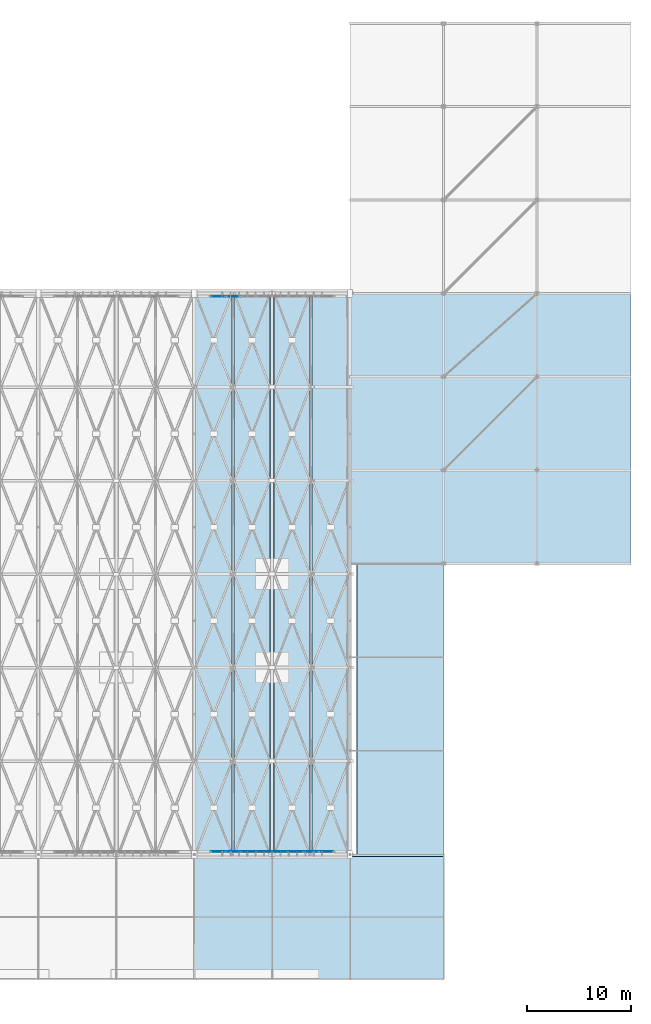
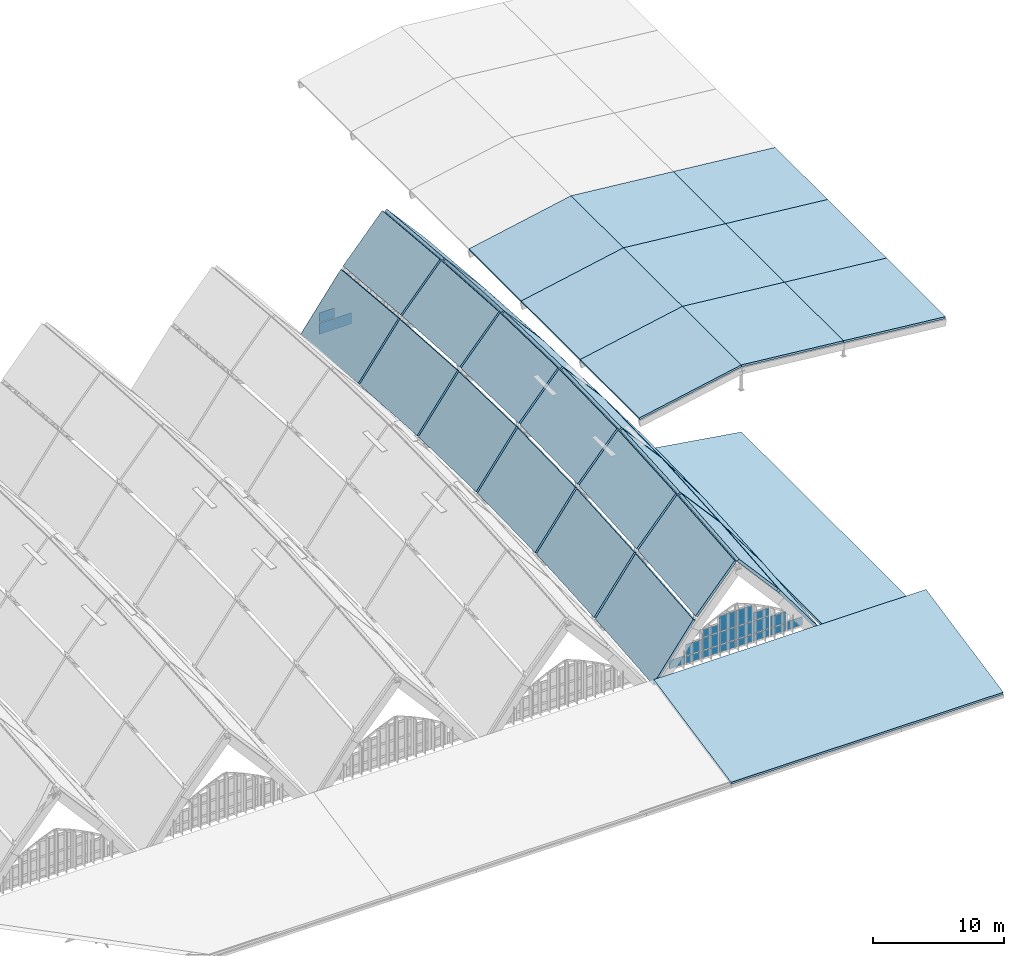
# One storey, part 65 of 93: 35 slabs, 21 plates, 3 elements without a shape of their own.
"""IFC4 building model written with IfcOpenShell, lengths in metres."""

from ifc_helpers import new_model, si_unit, direction, frame, origin, origin_2d, place, context, subcontext, project, spatial, polyline, rectangle, outline, extrude, material, layer, layer_set, type_object, element, aggregate, save


model = new_model("IFC4")

# Units and contexts
model_context = context("Model", 3, precision=1e-05, world=origin(), true_north=direction((0.0, 1.0)))
body_context = subcontext(model_context, "Body", "Model", "MODEL_VIEW")
ifc_project = project(units=[si_unit("LENGTHUNIT", "METRE"), si_unit("AREAUNIT", "SQUARE_METRE"), si_unit("VOLUMEUNIT", "CUBIC_METRE"), si_unit("PLANEANGLEUNIT", "RADIAN"), si_unit("MASSUNIT", "GRAM", prefix="KILO")], contexts=[model_context])

# Site, building, storey
site_placement = place(None, origin())
site = spatial("IfcSite", under=ifc_project, at=site_placement, CompositionType="ELEMENT")
building_placement = place(site_placement, origin())
building = spatial("IfcBuilding", under=site, at=building_placement, Name="Vourika Railside Aquatics Centre", CompositionType="ELEMENT")
storey_placement = place(building_placement, frame((0.0, 0.0, 21.89990234375)))
storey = spatial("IfcBuildingStorey", under=building, at=storey_placement, Name="Roof", CompositionType="ELEMENT", Elevation=21.89990234375)

# Curtain wall, plates
ifc_material_1 = material(Name="Anodized thermally broken aluminium", Category="aluminium")
curtain_wall_type_1 = type_object("IfcCurtainWallType", Name="CW-VLTN1", PredefinedType="NOTDEFINED", material=ifc_material_1)
curtain_wall_1_placement = place(storey_placement, origin())
curtain_wall_1 = element("IfcCurtainWall", 1, at=curtain_wall_1_placement, inside=storey, type_object=curtain_wall_type_1, Name="North Courtyard Pointed-Arch Curtain Wall Bay 7", PredefinedType="NOTDEFINED")
ifc_material_2 = material(Name="Low-E solar-control laminated double glazing", Category="glass")
ifc_layer_1 = layer(ifc_material_2, 0.048095703125, Name="CWP-VLTN1")
ifc_layer_set_1 = layer_set([ifc_layer_1], Name="Low-E solar-control laminated double glazing")
plate_type_1 = type_object("IfcPlateType", Name="CWP-VLTN1", PredefinedType="CURTAIN_PANEL", material=ifc_layer_set_1)
plate_1_placement = place(storey_placement, frame((129.78125, 65.719970703125, -11.014892578125), z_axis=(0.0, 0.0, 1.0), x_axis=(-1.0, 0.0, 0.0)))
plate_1 = element("IfcPlate", 2, at=plate_1_placement, type_object=plate_type_1, Name="CW01 glazed panel 7.1", PredefinedType="CURTAIN_PANEL", context=body_context, shape_type="SweptSolid", body=[
    extrude(rectangle(XDim=1.402587890625, YDim=0.048095703125, at=origin_2d()), origin(), (0.0, 0.0, 1.0), 1.0224609375),
])
plate_2_placement = place(storey_placement, frame((128.31494140625, 65.719970703125, -11.014892578125), z_axis=(0.0, 0.0, 1.0), x_axis=(-1.0, 0.0, 0.0)))
plate_2 = element("IfcPlate", 3, at=plate_2_placement, type_object=plate_type_1, Name="CW01 glazed panel 8.1", PredefinedType="CURTAIN_PANEL", context=body_context, shape_type="SweptSolid", body=[
    extrude(rectangle(XDim=1.360107421875, YDim=0.048095703125, at=origin_2d()), origin(), (0.0, 0.0, 1.0), 1.0224609375),
])
plate_3_placement = place(storey_placement, frame((128.31494140625, 65.719970703125, -9.9072265625), z_axis=(0.0, 0.0, 1.0), x_axis=(-1.0, 0.0, 0.0)))
plate_3 = element("IfcPlate", 4, at=plate_3_placement, type_object=plate_type_1, Name="CW01 glazed panel 8.2", PredefinedType="CURTAIN_PANEL", context=body_context, shape_type="SweptSolid", body=[
    extrude(rectangle(XDim=1.360107421875, YDim=0.048095703125, at=origin_2d()), origin(), (0.0, 0.0, 1.0), 0.884521484375),
])
aggregate(curtain_wall_1, [plate_1, plate_2, plate_3])

curtain_wall_type_2 = type_object("IfcCurtainWallType", Name="CW-VLTS1", PredefinedType="NOTDEFINED", material=ifc_material_1)
curtain_wall_2_placement = place(storey_placement, origin())
curtain_wall_2 = element("IfcCurtainWall", 5, at=curtain_wall_2_placement, inside=storey, type_object=curtain_wall_type_2, Name="South Boulevard Pointed-Arch Clerestory Curtain Wall Bay 7", PredefinedType="NOTDEFINED")
ifc_layer_2 = layer(ifc_material_2, 0.048095703125, Name="CWP-VLTS1")
ifc_layer_set_2 = layer_set([ifc_layer_2], Name="Low-E solar-control laminated double glazing")
plate_type_2 = type_object("IfcPlateType", Name="CWP-VLTS1", PredefinedType="CURTAIN_PANEL", material=ifc_layer_set_2)
plate_4_placement = place(storey_placement, frame((128.314208984375, 12.280029296875, -9.7978515625), z_axis=(0.0, 0.0, 1.0), x_axis=(1.0, 0.0, 0.0)))
plate_4 = element("IfcPlate", 6, at=plate_4_placement, type_object=plate_type_2, Name="CW03 glazed panel 1.1", PredefinedType="CURTAIN_PANEL", context=body_context, shape_type="SweptSolid", body=[
    extrude(rectangle(XDim=1.364501953125, YDim=0.048095703125, at=origin_2d()), origin(), (0.0, 0.0, 1.0), 0.77587890625),
])
plate_5_placement = place(storey_placement, frame((129.78125, 12.280029296875, -9.7978515625), z_axis=(0.0, 0.0, 1.0), x_axis=(1.0, 0.0, 0.0)))
plate_5 = element("IfcPlate", 7, at=plate_5_placement, type_object=plate_type_2, Name="CW03 glazed panel 2.1", PredefinedType="CURTAIN_PANEL", context=body_context, shape_type="SweptSolid", body=[
    extrude(rectangle(XDim=1.405517578125, YDim=0.048095703125, at=origin_2d()), origin(), (0.0, 0.0, 1.0), 0.656982421875),
])
plate_6_placement = place(storey_placement, frame((129.78125, 12.280029296875, -9.05908203125), z_axis=(0.0, 0.0, 1.0), x_axis=(1.0, 0.0, 0.0)))
plate_6 = element("IfcPlate", 8, at=plate_6_placement, type_object=plate_type_2, Name="CW03 glazed panel 2.2", PredefinedType="CURTAIN_PANEL", context=body_context, shape_type="SweptSolid", body=[
    extrude(rectangle(XDim=1.405517578125, YDim=0.048095703125, at=origin_2d()), origin(), (0.0, 0.0, 1.0), 1.029052734375),
])
plate_7_placement = place(storey_placement, frame((131.268798828125, 12.280029296875, -9.7978515625), z_axis=(0.0, 0.0, 1.0), x_axis=(1.0, 0.0, 0.0)))
plate_7 = element("IfcPlate", 9, at=plate_7_placement, type_object=plate_type_2, Name="CW03 glazed panel 3.1", PredefinedType="CURTAIN_PANEL", context=body_context, shape_type="SweptSolid", body=[
    extrude(rectangle(XDim=1.405517578125, YDim=0.048095703125, at=origin_2d()), origin(), (0.0, 0.0, 1.0), 0.656982421875),
])
plate_8_placement = place(storey_placement, frame((131.268798828125, 12.280029296875, -9.05908203125), z_axis=(0.0, 0.0, 1.0), x_axis=(1.0, 0.0, 0.0)))
plate_8 = element("IfcPlate", 10, at=plate_8_placement, type_object=plate_type_2, Name="CW03 glazed panel 3.2", PredefinedType="CURTAIN_PANEL", context=body_context, shape_type="SweptSolid", body=[
    extrude(rectangle(XDim=1.405517578125, YDim=0.048095703125, at=origin_2d()), origin(), (0.0, 0.0, 1.0), 1.117919921875),
])
plate_9_placement = place(storey_placement, frame((131.268798828125, 12.280029296875, -7.85888671875), z_axis=(0.0, 0.0, 1.0), x_axis=(1.0, 0.0, 0.0)))
plate_9 = element("IfcPlate", 11, at=plate_9_placement, type_object=plate_type_2, Name="CW03 glazed panel 3.3", PredefinedType="CURTAIN_PANEL", context=body_context, shape_type="SweptSolid", body=[
    extrude(rectangle(XDim=1.405517578125, YDim=0.048095703125, at=origin_2d()), origin(), (0.0, 0.0, 1.0), 0.708984375),
])
plate_10_placement = place(storey_placement, frame((132.75634765625, 12.280029296875, -9.7978515625), z_axis=(0.0, 0.0, 1.0), x_axis=(1.0, 0.0, 0.0)))
plate_10 = element("IfcPlate", 12, at=plate_10_placement, type_object=plate_type_2, Name="CW03 glazed panel 4.1", PredefinedType="CURTAIN_PANEL", context=body_context, shape_type="SweptSolid", body=[
    extrude(rectangle(XDim=1.405517578125, YDim=0.048095703125, at=origin_2d()), origin(), (0.0, 0.0, 1.0), 0.656982421875),
])
plate_11_placement = place(storey_placement, frame((132.75634765625, 12.280029296875, -9.05908203125), z_axis=(0.0, 0.0, 1.0), x_axis=(1.0, 0.0, 0.0)))
plate_11 = element("IfcPlate", 13, at=plate_11_placement, type_object=plate_type_2, Name="CW03 glazed panel 4.2", PredefinedType="CURTAIN_PANEL", context=body_context, shape_type="SweptSolid", body=[
    extrude(rectangle(XDim=1.405517578125, YDim=0.048095703125, at=origin_2d()), origin(), (0.0, 0.0, 1.0), 1.117919921875),
])
plate_12_placement = place(storey_placement, frame((132.75634765625, 12.280029296875, -7.85888671875), z_axis=(0.0, 0.0, 1.0), x_axis=(1.0, 0.0, 0.0)))
plate_12 = element("IfcPlate", 14, at=plate_12_placement, type_object=plate_type_2, Name="CW03 glazed panel 4.3", PredefinedType="CURTAIN_PANEL", context=body_context, shape_type="SweptSolid", body=[
    extrude(rectangle(XDim=1.405517578125, YDim=0.048095703125, at=origin_2d()), origin(), (0.0, 0.0, 1.0), 1.446044921875),
])
plate_13_placement = place(storey_placement, frame((134.24365234375, 12.280029296875, -9.7978515625), z_axis=(0.0, 0.0, 1.0), x_axis=(1.0, 0.0, 0.0)))
plate_13 = element("IfcPlate", 15, at=plate_13_placement, type_object=plate_type_2, Name="CW03 glazed panel 5.1", PredefinedType="CURTAIN_PANEL", context=body_context, shape_type="SweptSolid", body=[
    extrude(rectangle(XDim=1.405517578125, YDim=0.048095703125, at=origin_2d()), origin(), (0.0, 0.0, 1.0), 0.656982421875),
])
plate_14_placement = place(storey_placement, frame((134.24365234375, 12.280029296875, -9.05908203125), z_axis=(0.0, 0.0, 1.0), x_axis=(1.0, 0.0, 0.0)))
plate_14 = element("IfcPlate", 16, at=plate_14_placement, type_object=plate_type_2, Name="CW03 glazed panel 5.2", PredefinedType="CURTAIN_PANEL", context=body_context, shape_type="SweptSolid", body=[
    extrude(rectangle(XDim=1.405517578125, YDim=0.048095703125, at=origin_2d()), origin(), (0.0, 0.0, 1.0), 1.117919921875),
])
plate_15_placement = place(storey_placement, frame((134.24365234375, 12.280029296875, -7.85888671875), z_axis=(0.0, 0.0, 1.0), x_axis=(1.0, 0.0, 0.0)))
plate_15 = element("IfcPlate", 17, at=plate_15_placement, type_object=plate_type_2, Name="CW03 glazed panel 5.3", PredefinedType="CURTAIN_PANEL", context=body_context, shape_type="SweptSolid", body=[
    extrude(rectangle(XDim=1.405517578125, YDim=0.048095703125, at=origin_2d()), origin(), (0.0, 0.0, 1.0), 1.446044921875),
])
plate_16_placement = place(storey_placement, frame((135.731201171875, 12.280029296875, -9.7978515625), z_axis=(0.0, 0.0, 1.0), x_axis=(1.0, 0.0, 0.0)))
plate_16 = element("IfcPlate", 18, at=plate_16_placement, type_object=plate_type_2, Name="CW03 glazed panel 6.1", PredefinedType="CURTAIN_PANEL", context=body_context, shape_type="SweptSolid", body=[
    extrude(rectangle(XDim=1.405517578125, YDim=0.048095703125, at=origin_2d()), origin(), (0.0, 0.0, 1.0), 0.656982421875),
])
plate_17_placement = place(storey_placement, frame((135.731201171875, 12.280029296875, -9.05908203125), z_axis=(0.0, 0.0, 1.0), x_axis=(1.0, 0.0, 0.0)))
plate_17 = element("IfcPlate", 19, at=plate_17_placement, type_object=plate_type_2, Name="CW03 glazed panel 6.2", PredefinedType="CURTAIN_PANEL", context=body_context, shape_type="SweptSolid", body=[
    extrude(rectangle(XDim=1.405517578125, YDim=0.048095703125, at=origin_2d()), origin(), (0.0, 0.0, 1.0), 1.117919921875),
])
plate_18_placement = place(storey_placement, frame((135.731201171875, 12.280029296875, -7.85888671875), z_axis=(0.0, 0.0, 1.0), x_axis=(1.0, 0.0, 0.0)))
plate_18 = element("IfcPlate", 20, at=plate_18_placement, type_object=plate_type_2, Name="CW03 glazed panel 6.3", PredefinedType="CURTAIN_PANEL", context=body_context, shape_type="SweptSolid", body=[
    extrude(rectangle(XDim=1.405517578125, YDim=0.048095703125, at=origin_2d()), origin(), (0.0, 0.0, 1.0), 0.708984375),
])
plate_19_placement = place(storey_placement, frame((137.21875, 12.280029296875, -9.7978515625), z_axis=(0.0, 0.0, 1.0), x_axis=(1.0, 0.0, 0.0)))
plate_19 = element("IfcPlate", 21, at=plate_19_placement, type_object=plate_type_2, Name="CW03 glazed panel 7.1", PredefinedType="CURTAIN_PANEL", context=body_context, shape_type="SweptSolid", body=[
    extrude(rectangle(XDim=1.405517578125, YDim=0.048095703125, at=origin_2d()), origin(), (0.0, 0.0, 1.0), 0.656982421875),
])
plate_20_placement = place(storey_placement, frame((137.21875, 12.280029296875, -9.05908203125), z_axis=(0.0, 0.0, 1.0), x_axis=(1.0, 0.0, 0.0)))
plate_20 = element("IfcPlate", 22, at=plate_20_placement, type_object=plate_type_2, Name="CW03 glazed panel 7.2", PredefinedType="CURTAIN_PANEL", context=body_context, shape_type="SweptSolid", body=[
    extrude(rectangle(XDim=1.405517578125, YDim=0.048095703125, at=origin_2d()), origin(), (0.0, 0.0, 1.0), 1.029052734375),
])
plate_21_placement = place(storey_placement, frame((138.685791015625, 12.280029296875, -9.7978515625), z_axis=(0.0, 0.0, 1.0), x_axis=(1.0, 0.0, 0.0)))
plate_21 = element("IfcPlate", 23, at=plate_21_placement, type_object=plate_type_2, Name="CW03 glazed panel 8.1", PredefinedType="CURTAIN_PANEL", context=body_context, shape_type="SweptSolid", body=[
    extrude(rectangle(XDim=1.364501953125, YDim=0.048095703125, at=origin_2d()), origin(), (0.0, 0.0, 1.0), 0.77587890625),
])
aggregate(curtain_wall_2, [plate_4, plate_5, plate_6, plate_7, plate_8, plate_9, plate_10, plate_11, plate_12, plate_13, plate_14, plate_15, plate_16, plate_17, plate_18, plate_19, plate_20, plate_21])

# Slabs
ifc_material_3 = material(Name="Glulam GL28h", Category="wood")
ifc_layer_3 = layer(ifc_material_3, 0.18994140625, Name="SLB-ROOF-CAN190")
ifc_layer_set_3 = layer_set([ifc_layer_3], Name="Glulam GL28h")
slab_type_1 = type_object("IfcSlabType", Name="SLB-ROOF-CAN190", PredefinedType="ROOF", material=ifc_layer_set_3)
slab_1_placement = place(storey_placement, frame((141.0, 40.0, -7.89990234375), z_axis=(-0.196121250506, 0.0, 0.980579652604), x_axis=(0.980579652604, 0.0, 0.196121250506)))
element("IfcSlab", 24, at=slab_1_placement, inside=storey, type_object=slab_type_1, Name="Civic Foyer Swept Canopy Roof Slab 185", PredefinedType="ROOF", context=body_context, shape_type="SweptSolid", body=[
    extrude(outline(polyline([(0.0, 0.0), (9.17824470057506, 0.0), (9.17824470057506, 9.0), (0.0, 9.0), (0.0, 0.0)])), origin(), (0.0, 0.0, -1.0), 0.18994140625),
])
slab_2_placement = place(storey_placement, frame((150.0, 40.0, -6.099853515625), z_axis=(0.0995197539, 0.0, 0.995035586592), x_axis=(0.995035586592, 0.0, -0.0995197539)))
element("IfcSlab", 25, at=slab_2_placement, inside=storey, type_object=slab_type_1, Name="Civic Foyer Swept Canopy Roof Slab 186", PredefinedType="ROOF", context=body_context, shape_type="SweptSolid", body=[
    extrude(outline(polyline([(0.0, 0.0), (9.044902635923323, 0.0), (9.044902635923323, 9.0), (0.0, 9.0), (0.0, 0.0)])), origin(), (0.0, 0.0, -1.0), 0.18994140625),
])
slab_3_placement = place(storey_placement, frame((159.0, 40.0, -7.0), z_axis=(0.099493029059, 0.0, 0.995038259148), x_axis=(0.995038259148, 0.0, -0.099493029059)))
element("IfcSlab", 26, at=slab_3_placement, inside=storey, type_object=slab_type_1, Name="Civic Foyer Swept Canopy Roof Slab 187", PredefinedType="ROOF", context=body_context, shape_type="SweptSolid", body=[
    extrude(outline(polyline([(0.0, 0.0), (9.044878342370712, 0.0), (9.044878342370712, 9.0), (0.0, 9.0), (0.0, 0.0)])), origin(), (0.0, 0.0, -1.0), 0.18994140625),
])
slab_4_placement = place(storey_placement, frame((141.0, 49.0, -7.89990234375), z_axis=(-0.196121250506, 0.0, 0.980579652604), x_axis=(0.980579652604, 0.0, 0.196121250506)))
element("IfcSlab", 27, at=slab_4_placement, inside=storey, type_object=slab_type_1, Name="Civic Foyer Swept Canopy Roof Slab 188", PredefinedType="ROOF", context=body_context, shape_type="SweptSolid", body=[
    extrude(outline(polyline([(0.0, 0.0), (9.17824470057506, 0.0), (9.17824470057506, 9.0), (0.0, 9.0), (0.0, 0.0)])), origin(), (0.0, 0.0, -1.0), 0.18994140625),
])
slab_5_placement = place(storey_placement, frame((150.0, 49.0, -6.099853515625), z_axis=(0.0995197539, 0.0, 0.995035586592), x_axis=(0.995035586592, 0.0, -0.0995197539)))
element("IfcSlab", 28, at=slab_5_placement, inside=storey, type_object=slab_type_1, Name="Civic Foyer Swept Canopy Roof Slab 189", PredefinedType="ROOF", context=body_context, shape_type="SweptSolid", body=[
    extrude(outline(polyline([(0.0, 0.0), (9.044902635923323, 0.0), (9.044902635923323, 9.0), (0.0, 9.0), (0.0, 0.0)])), origin(), (0.0, 0.0, -1.0), 0.18994140625),
])
slab_6_placement = place(storey_placement, frame((159.0, 49.0, -7.0), z_axis=(0.099493029059, 0.0, 0.995038259148), x_axis=(0.995038259148, 0.0, -0.099493029059)))
element("IfcSlab", 29, at=slab_6_placement, inside=storey, type_object=slab_type_1, Name="Civic Foyer Swept Canopy Roof Slab 190", PredefinedType="ROOF", context=body_context, shape_type="SweptSolid", body=[
    extrude(outline(polyline([(0.0, 0.0), (9.044878342370712, 0.0), (9.044878342370712, 9.0), (0.0, 9.0), (0.0, 0.0)])), origin(), (0.0, 0.0, -1.0), 0.18994140625),
])
slab_7_placement = place(storey_placement, frame((141.0, 58.0, -7.89990234375), z_axis=(-0.196121250506, 0.0, 0.980579652604), x_axis=(0.980579652604, 0.0, 0.196121250506)))
element("IfcSlab", 30, at=slab_7_placement, inside=storey, type_object=slab_type_1, Name="Civic Foyer Swept Canopy Roof Slab 191", PredefinedType="ROOF", context=body_context, shape_type="SweptSolid", body=[
    extrude(outline(polyline([(0.0, 0.0), (9.17824470057506, 0.0), (9.17824470057506, 8.000000000000002), (0.0, 8.000000000000002), (0.0, 0.0)])), origin(), (0.0, 0.0, -1.0), 0.18994140625),
])
slab_8_placement = place(storey_placement, frame((150.0, 58.0, -6.099853515625), z_axis=(0.0995197539, 0.0, 0.995035586592), x_axis=(0.995035586592, 0.0, -0.0995197539)))
element("IfcSlab", 31, at=slab_8_placement, inside=storey, type_object=slab_type_1, Name="Civic Foyer Swept Canopy Roof Slab 192", PredefinedType="ROOF", context=body_context, shape_type="SweptSolid", body=[
    extrude(outline(polyline([(0.0, 0.0), (9.044902635923323, 0.0), (9.044902635923323, 8.0), (0.0, 8.0), (0.0, 0.0)])), origin(), (0.0, 0.0, -1.0), 0.18994140625),
])
slab_9_placement = place(storey_placement, frame((159.0, 58.0, -7.0), z_axis=(0.099493029059, 0.0, 0.995038259148), x_axis=(0.995038259148, 0.0, -0.099493029059)))
element("IfcSlab", 32, at=slab_9_placement, inside=storey, type_object=slab_type_1, Name="Civic Foyer Swept Canopy Roof Slab 193", PredefinedType="ROOF", context=body_context, shape_type="SweptSolid", body=[
    extrude(outline(polyline([(0.0, 0.0), (9.044878342370712, 0.0), (9.044878342370712, 7.999999999999999), (0.0, 7.999999999999999), (0.0, 0.0)])), origin(), (0.0, 0.0, -1.0), 0.18994140625),
])
ifc_material_4 = material(Name="Concrete C35/45", Category="concrete")
ifc_layer_4 = layer(ifc_material_4, 0.22998046875, Name="SLB-ROOF-EAV230")
ifc_layer_set_4 = layer_set([ifc_layer_4], Name="Concrete C35/45")
slab_type_2 = type_object("IfcSlabType", Name="SLB-ROOF-EAV230", PredefinedType="ROOF", material=ifc_layer_set_4)
slab_10_placement = place(storey_placement, frame((126.0, 0.0, -12.349853515625), z_axis=(0.0, -0.201693516956, 0.979448684321), x_axis=(1.0, 0.0, 0.0)))
element("IfcSlab", 33, at=slab_10_placement, inside=storey, type_object=slab_type_2, Name="Changing Village Sloped Monsoon Eave Roof S4", PredefinedType="ROOF", context=body_context, shape_type="SweptSolid", body=[
    extrude(outline(polyline([(0.0, 0.0), (24.0, 0.0), (24.0, 12.047643758189595), (0.0, 12.047643758189595), (0.0, 0.0)])), origin(), (0.0, 0.0, -1.0), 0.22998046875),
])
slab_11_placement = place(storey_placement, frame((150.0, 12.0, -12.349853515625), z_axis=(0.153839266515, 0.0, 0.988095886075), x_axis=(0.0, 1.0, 0.0)))
element("IfcSlab", 34, at=slab_11_placement, inside=storey, type_object=slab_type_2, Name="Changing Village East Wing Sloped Roof", PredefinedType="ROOF", context=body_context, shape_type="SweptSolid", body=[
    extrude(outline(polyline([(0.0, 0.0), (28.0, 0.0), (28.0, 8.450695700616661), (0.0, 8.450695700616661), (0.0, 0.0)])), origin(), (0.0, 0.0, -1.0), 0.22998046875),
])

# Roof, slabs
ifc_material_5 = material(Name="Glulam GL32h", Category="wood")
ifc_layer_5 = layer(ifc_material_5, 0.239990234375, Name="ROOF-VAULT-SYS")
ifc_layer_set_5 = layer_set([ifc_layer_5], Name="Glulam GL32h")
roof_type = type_object("IfcRoofType", Name="ROOF-VAULT-SYS", PredefinedType="BARREL_ROOF", material=ifc_layer_set_5)
roof_placement = place(storey_placement, origin())
roof = element("IfcRoof", 35, at=roof_placement, inside=storey, type_object=roof_type, Name="Pointed Glulam Gridshell Vault Roof Assembly", PredefinedType="BARREL_ROOF")
ifc_layer_6 = layer(ifc_material_3, 0.239990234375, Name="SLB-ROOF-VLT240")
ifc_layer_set_6 = layer_set([ifc_layer_6], Name="Glulam GL28h")
slab_type_3 = type_object("IfcSlabType", Name="SLB-ROOF-VLT240", PredefinedType="ROOF", material=ifc_layer_set_6)
slab_12_placement = place(storey_placement, frame((126.094970703125, 12.094970703125, -10.61181640625), z_axis=(-0.80452801332, -0.05260713157, 0.591580227434), x_axis=(0.592400532663, 0.0, 0.80564359918)))
slab_12 = element("IfcSlab", 36, at=slab_12_placement, type_object=slab_type_3, Name="Bay 7 Pointed Timber Roof Deck Panel 145", PredefinedType="ROOF", context=body_context, shape_type="SweptSolid", body=[
    extrude(outline(polyline([(0.0, 0.0), (6.009546577793309, 0.0), (6.640725852639392, 8.822274920128496), (0.6311792748460823, 8.822274920128496), (0.0, 0.0)])), origin(), (0.0, 0.0, -1.0), 0.239990234375),
])
slab_13_placement = place(storey_placement, frame((129.844970703125, 12.094970703125, -5.531982421875), z_axis=(-0.752364776824, -0.058349751553, 0.656157411821), x_axis=(0.657277279678, 0.0, 0.753648842379)))
slab_13 = element("IfcSlab", 37, at=slab_13_placement, type_object=slab_type_3, Name="Bay 7 Pointed Timber Roof Deck Panel 146", PredefinedType="ROOF", context=body_context, shape_type="SweptSolid", body=[
    extrude(outline(polyline([(0.0, 0.0), (5.2566523015834505, 0.0), (5.847096426386386, 8.825094774494447), (0.5904441248029355, 8.825094774494449), (0.0, 0.0)])), origin(), (0.0, 0.0, -1.0), 0.239990234375),
])
slab_14_placement = place(storey_placement, frame((133.699951171875, 12.094970703125, -1.5703125), z_axis=(0.752364776824, -0.058349751553, 0.656157411821), x_axis=(0.657277279678, 0.0, -0.753648842379)))
slab_14 = element("IfcSlab", 38, at=slab_14_placement, type_object=slab_type_3, Name="Bay 7 Pointed Timber Roof Deck Panel 147", PredefinedType="ROOF", context=body_context, shape_type="SweptSolid", body=[
    extrude(outline(polyline([(0.0, 0.0), (5.2566523015834505, 0.0), (4.666208176780515, 8.825094774494449), (-0.5904441248029355, 8.825094774494449), (0.0, 0.0)])), origin(), (0.0, 0.0, -1.0), 0.239990234375),
])
slab_15_placement = place(storey_placement, frame((137.344970703125, 12.094970703125, -5.770263671875), z_axis=(0.80452801332, -0.05260713157, 0.591580227434), x_axis=(0.592400532663, 0.0, -0.80564359918)))
slab_15 = element("IfcSlab", 39, at=slab_15_placement, type_object=slab_type_3, Name="Bay 7 Pointed Timber Roof Deck Panel 148", PredefinedType="ROOF", context=body_context, shape_type="SweptSolid", body=[
    extrude(outline(polyline([(0.0, 0.0), (6.009546577793309, 0.0), (5.378367302947226, 8.822274920128496), (-0.6311792748460823, 8.822274920128496), (0.0, 0.0)])), origin(), (0.0, 0.0, -1.0), 0.239990234375),
])
slab_16_placement = place(storey_placement, frame((126.094970703125, 21.094970703125, -9.81298828125), z_axis=(-0.805045258731, -0.038533374909, 0.591960564914), x_axis=(0.592400532663, 0.0, 0.80564359918)))
slab_16 = element("IfcSlab", 40, at=slab_16_placement, type_object=slab_type_3, Name="Bay 7 Pointed Timber Roof Deck Panel 149", PredefinedType="ROOF", context=body_context, shape_type="SweptSolid", body=[
    extrude(outline(polyline([(0.0, 0.0), (6.009546577793309, 0.0), (6.471572167264624, 8.816606566504385), (0.46202558947131417, 8.816606566504385), (0.0, 0.0)])), origin(), (0.0, 0.0, -1.0), 0.239990234375),
])
slab_17_placement = place(storey_placement, frame((129.844970703125, 21.094970703125, -4.7333984375), z_axis=(-0.752980078638, -0.042744533256, 0.656653566236), x_axis=(0.657254273789, 0.0, 0.753668905811)))
slab_17 = element("IfcSlab", 41, at=slab_17_placement, type_object=slab_type_3, Name="Bay 7 Pointed Timber Roof Deck Panel 150", PredefinedType="ROOF", context=body_context, shape_type="SweptSolid", body=[
    extrude(outline(polyline([(0.0, 0.0), (5.2568363003320515, -2.7755575615628914e-17), (5.6890551137477186, 8.81811804702024), (0.43221881341566754, 8.81811804702024), (0.0, 0.0)])), origin(), (0.0, 0.0, -1.0), 0.239990234375),
])
slab_18_placement = place(storey_placement, frame((133.699951171875, 21.094970703125, -0.771484375), z_axis=(0.752980078638, -0.042744533256, 0.656653566236), x_axis=(0.657254273789, 0.0, -0.753668905811)))
slab_18 = element("IfcSlab", 42, at=slab_18_placement, type_object=slab_type_3, Name="Bay 7 Pointed Timber Roof Deck Panel 151", PredefinedType="ROOF", context=body_context, shape_type="SweptSolid", body=[
    extrude(outline(polyline([(0.0, 0.0), (5.2568363003320515, 2.7755575615628914e-17), (4.824617486916384, 8.81811804702024), (-0.43221881341566754, 8.81811804702024), (0.0, 0.0)])), origin(), (0.0, 0.0, -1.0), 0.239990234375),
])
slab_19_placement = place(storey_placement, frame((137.344970703125, 21.094970703125, -4.971435546875), z_axis=(0.805045258731, -0.038533374909, 0.591960564914), x_axis=(0.592400532663, 0.0, -0.80564359918)))
slab_19 = element("IfcSlab", 43, at=slab_19_placement, type_object=slab_type_3, Name="Bay 7 Pointed Timber Roof Deck Panel 152", PredefinedType="ROOF", context=body_context, shape_type="SweptSolid", body=[
    extrude(outline(polyline([(0.0, 0.0), (6.009546577793309, 0.0), (5.5475209883219945, 8.816606566504385), (-0.46202558947131417, 8.816606566504385), (0.0, 0.0)])), origin(), (0.0, 0.0, -1.0), 0.239990234375),
])
slab_20_placement = place(storey_placement, frame((126.094970703125, 30.094970703125, -9.230712890625), z_axis=(-0.805563320848, -0.014116657222, 0.59234150293), x_axis=(0.592400532663, 0.0, 0.80564359918)))
slab_20 = element("IfcSlab", 44, at=slab_20_placement, type_object=slab_type_3, Name="Bay 7 Pointed Timber Roof Deck Panel 153", PredefinedType="ROOF", context=body_context, shape_type="SweptSolid", body=[
    extrude(outline(polyline([(0.0, 0.0), (6.009546577793309, 0.0), (6.178700263168077, 8.810936559260217), (0.16915368537476808, 8.810936559260217), (0.0, 0.0)])), origin(), (0.0, 0.0, -1.0), 0.239990234375),
])
slab_21_placement = place(storey_placement, frame((129.844970703125, 30.094970703125, -4.15087890625), z_axis=(-0.753556399006, -0.015662282473, 0.657196657345), x_axis=(0.657277279678, 0.0, 0.753648842379)))
slab_21 = element("IfcSlab", 45, at=slab_21_placement, type_object=slab_type_3, Name="Bay 7 Pointed Timber Roof Deck Panel 154", PredefinedType="ROOF", context=body_context, shape_type="SweptSolid", body=[
    extrude(outline(polyline([(0.0, 0.0), (5.25665230158345, -6.938893903907228e-18), (5.414889119075044, 8.811139377525146), (0.15823681749159377, 8.811139377525146), (0.0, 0.0)])), origin(), (0.0, 0.0, -1.0), 0.239990234375),
])
slab_22_placement = place(storey_placement, frame((133.699951171875, 30.094970703125, -0.189208984375), z_axis=(0.753556399006, -0.015662282473, 0.657196657345), x_axis=(0.657277279678, 0.0, -0.753648842379)))
slab_22 = element("IfcSlab", 46, at=slab_22_placement, type_object=slab_type_3, Name="Bay 7 Pointed Timber Roof Deck Panel 155", PredefinedType="ROOF", context=body_context, shape_type="SweptSolid", body=[
    extrude(outline(polyline([(0.0, 0.0), (5.25665230158345, 6.938893903907228e-18), (5.098415484091856, 8.811139377525148), (-0.15823681749159377, 8.811139377525146), (0.0, 0.0)])), origin(), (0.0, 0.0, -1.0), 0.239990234375),
])
slab_23_placement = place(storey_placement, frame((137.344970703125, 30.094970703125, -4.38916015625), z_axis=(0.805563320848, -0.014116657222, 0.59234150293), x_axis=(0.592400532663, 0.0, -0.80564359918)))
slab_23 = element("IfcSlab", 47, at=slab_23_placement, type_object=slab_type_3, Name="Bay 7 Pointed Timber Roof Deck Panel 156", PredefinedType="ROOF", context=body_context, shape_type="SweptSolid", body=[
    extrude(outline(polyline([(0.0, 0.0), (6.009546577793309, 0.0), (5.84039289241854, 8.810936559260217), (-0.16915368537476808, 8.810936559260217), (0.0, 0.0)])), origin(), (0.0, 0.0, -1.0), 0.239990234375),
])
slab_24_placement = place(storey_placement, frame((126.094970703125, 39.094970703125, -9.020751953125), z_axis=(-0.805563320848, 0.014116657222, 0.59234150293), x_axis=(0.592400532663, 0.0, 0.80564359918)))
slab_24 = element("IfcSlab", 48, at=slab_24_placement, type_object=slab_type_3, Name="Bay 7 Pointed Timber Roof Deck Panel 157", PredefinedType="ROOF", context=body_context, shape_type="SweptSolid", body=[
    extrude(outline(polyline([(0.0, 0.0), (6.009546577793309, 0.0), (5.84039289241854, 8.810936559260217), (-0.16915368537476808, 8.810936559260217), (0.0, 0.0)])), origin(), (0.0, 0.0, -1.0), 0.239990234375),
])
slab_25_placement = place(storey_placement, frame((129.844970703125, 39.094970703125, -3.94091796875), z_axis=(-0.753556399006, 0.015662282473, 0.657196657345), x_axis=(0.657277279678, 0.0, 0.753648842379)))
slab_25 = element("IfcSlab", 49, at=slab_25_placement, type_object=slab_type_3, Name="Bay 7 Pointed Timber Roof Deck Panel 158", PredefinedType="ROOF", context=body_context, shape_type="SweptSolid", body=[
    extrude(outline(polyline([(0.0, 0.0), (5.25665230158345, 6.938893903907228e-18), (5.098415484091856, 8.811139377525148), (-0.15823681749159377, 8.811139377525146), (0.0, 0.0)])), origin(), (0.0, 0.0, -1.0), 0.239990234375),
])
slab_26_placement = place(storey_placement, frame((133.699951171875, 39.094970703125, 0.020751953125), z_axis=(0.753556399006, 0.015662282473, 0.657196657345), x_axis=(0.657277279678, 0.0, -0.753648842379)))
slab_26 = element("IfcSlab", 50, at=slab_26_placement, type_object=slab_type_3, Name="Bay 7 Pointed Timber Roof Deck Panel 159", PredefinedType="ROOF", context=body_context, shape_type="SweptSolid", body=[
    extrude(outline(polyline([(0.0, 0.0), (5.25665230158345, -6.938893903907228e-18), (5.414889119075044, 8.811139377525146), (0.15823681749159377, 8.811139377525146), (0.0, 0.0)])), origin(), (0.0, 0.0, -1.0), 0.239990234375),
])
slab_27_placement = place(storey_placement, frame((137.344970703125, 39.094970703125, -4.17919921875), z_axis=(0.805563320848, 0.014116657222, 0.59234150293), x_axis=(0.592400532663, 0.0, -0.80564359918)))
slab_27 = element("IfcSlab", 51, at=slab_27_placement, type_object=slab_type_3, Name="Bay 7 Pointed Timber Roof Deck Panel 160", PredefinedType="ROOF", context=body_context, shape_type="SweptSolid", body=[
    extrude(outline(polyline([(0.0, 0.0), (6.009546577793309, 0.0), (6.178700263168077, 8.810936559260217), (0.16915368537476808, 8.810936559260217), (0.0, 0.0)])), origin(), (0.0, 0.0, -1.0), 0.239990234375),
])
slab_28_placement = place(storey_placement, frame((126.094970703125, 48.094970703125, -9.239501953125), z_axis=(-0.805045258731, 0.038533374909, 0.591960564914), x_axis=(0.592400532663, 0.0, 0.80564359918)))
slab_28 = element("IfcSlab", 52, at=slab_28_placement, type_object=slab_type_3, Name="Bay 7 Pointed Timber Roof Deck Panel 161", PredefinedType="ROOF", context=body_context, shape_type="SweptSolid", body=[
    extrude(outline(polyline([(0.0, 0.0), (6.009546577793309, 0.0), (5.5475209883219945, 8.816606566504385), (-0.46202558947131417, 8.816606566504385), (0.0, 0.0)])), origin(), (0.0, 0.0, -1.0), 0.239990234375),
])
slab_29_placement = place(storey_placement, frame((129.844970703125, 48.094970703125, -4.159912109375), z_axis=(-0.752980078638, 0.042744533256, 0.656653566236), x_axis=(0.657254273789, 0.0, 0.753668905811)))
slab_29 = element("IfcSlab", 53, at=slab_29_placement, type_object=slab_type_3, Name="Bay 7 Pointed Timber Roof Deck Panel 162", PredefinedType="ROOF", context=body_context, shape_type="SweptSolid", body=[
    extrude(outline(polyline([(0.0, 0.0), (5.2568363003320515, 2.7755575615628914e-17), (4.824617486916384, 8.81811804702024), (-0.43221881341566754, 8.81811804702024), (0.0, 0.0)])), origin(), (0.0, 0.0, -1.0), 0.239990234375),
])
slab_30_placement = place(storey_placement, frame((133.699951171875, 48.094970703125, -0.197998046875), z_axis=(0.752980078638, 0.042744533256, 0.656653566236), x_axis=(0.657254273789, 0.0, -0.753668905811)))
slab_30 = element("IfcSlab", 54, at=slab_30_placement, type_object=slab_type_3, Name="Bay 7 Pointed Timber Roof Deck Panel 163", PredefinedType="ROOF", context=body_context, shape_type="SweptSolid", body=[
    extrude(outline(polyline([(0.0, 0.0), (5.2568363003320515, -2.7755575615628914e-17), (5.6890551137477186, 8.81811804702024), (0.43221881341566754, 8.81811804702024), (0.0, 0.0)])), origin(), (0.0, 0.0, -1.0), 0.239990234375),
])
slab_31_placement = place(storey_placement, frame((137.344970703125, 48.094970703125, -4.39794921875), z_axis=(0.805045258731, 0.038533374909, 0.591960564914), x_axis=(0.592400532663, 0.0, -0.80564359918)))
slab_31 = element("IfcSlab", 55, at=slab_31_placement, type_object=slab_type_3, Name="Bay 7 Pointed Timber Roof Deck Panel 164", PredefinedType="ROOF", context=body_context, shape_type="SweptSolid", body=[
    extrude(outline(polyline([(0.0, 0.0), (6.009546577793309, 0.0), (6.471572167264624, 8.816606566504385), (0.46202558947131417, 8.816606566504385), (0.0, 0.0)])), origin(), (0.0, 0.0, -1.0), 0.239990234375),
])
slab_32_placement = place(storey_placement, frame((126.094970703125, 57.094970703125, -9.828369140625), z_axis=(-0.80452801332, 0.05260713157, 0.591580227434), x_axis=(0.592400532663, 0.0, 0.80564359918)))
slab_32 = element("IfcSlab", 56, at=slab_32_placement, type_object=slab_type_3, Name="Bay 7 Pointed Timber Roof Deck Panel 165", PredefinedType="ROOF", context=body_context, shape_type="SweptSolid", body=[
    extrude(outline(polyline([(0.0, 0.0), (6.009546577793309, 0.0), (5.378367302947226, 8.822274920128496), (-0.6311792748460823, 8.822274920128496), (0.0, 0.0)])), origin(), (0.0, 0.0, -1.0), 0.239990234375),
])
slab_33_placement = place(storey_placement, frame((129.844970703125, 57.094970703125, -4.74853515625), z_axis=(-0.752364776824, 0.058349751553, 0.656157411821), x_axis=(0.657277279678, 0.0, 0.753648842379)))
slab_33 = element("IfcSlab", 57, at=slab_33_placement, type_object=slab_type_3, Name="Bay 7 Pointed Timber Roof Deck Panel 166", PredefinedType="ROOF", context=body_context, shape_type="SweptSolid", body=[
    extrude(outline(polyline([(0.0, 0.0), (5.2566523015834505, 0.0), (4.666208176780515, 8.825094774494449), (-0.5904441248029355, 8.825094774494449), (0.0, 0.0)])), origin(), (0.0, 0.0, -1.0), 0.239990234375),
])
slab_34_placement = place(storey_placement, frame((133.699951171875, 57.094970703125, -0.786865234375), z_axis=(0.752364776824, 0.058349751553, 0.656157411821), x_axis=(0.657277279678, 0.0, -0.753648842379)))
slab_34 = element("IfcSlab", 58, at=slab_34_placement, type_object=slab_type_3, Name="Bay 7 Pointed Timber Roof Deck Panel 167", PredefinedType="ROOF", context=body_context, shape_type="SweptSolid", body=[
    extrude(outline(polyline([(0.0, 0.0), (5.2566523015834505, 0.0), (5.847096426386386, 8.825094774494447), (0.5904441248029355, 8.825094774494449), (0.0, 0.0)])), origin(), (0.0, 0.0, -1.0), 0.239990234375),
])
slab_35_placement = place(storey_placement, frame((137.344970703125, 57.094970703125, -4.98681640625), z_axis=(0.80452801332, 0.05260713157, 0.591580227434), x_axis=(0.592400532663, 0.0, -0.80564359918)))
slab_35 = element("IfcSlab", 59, at=slab_35_placement, type_object=slab_type_3, Name="Bay 7 Pointed Timber Roof Deck Panel 168", PredefinedType="ROOF", context=body_context, shape_type="SweptSolid", body=[
    extrude(outline(polyline([(0.0, 0.0), (6.009546577793309, 0.0), (6.640725852639392, 8.822274920128496), (0.6311792748460823, 8.822274920128496), (0.0, 0.0)])), origin(), (0.0, 0.0, -1.0), 0.239990234375),
])
aggregate(roof, [slab_12, slab_13, slab_14, slab_15, slab_16, slab_17, slab_18, slab_19, slab_20, slab_21, slab_22, slab_23, slab_24, slab_25, slab_26, slab_27, slab_28, slab_29, slab_30, slab_31, slab_32, slab_33, slab_34, slab_35])

save(model, "model.ifc")
